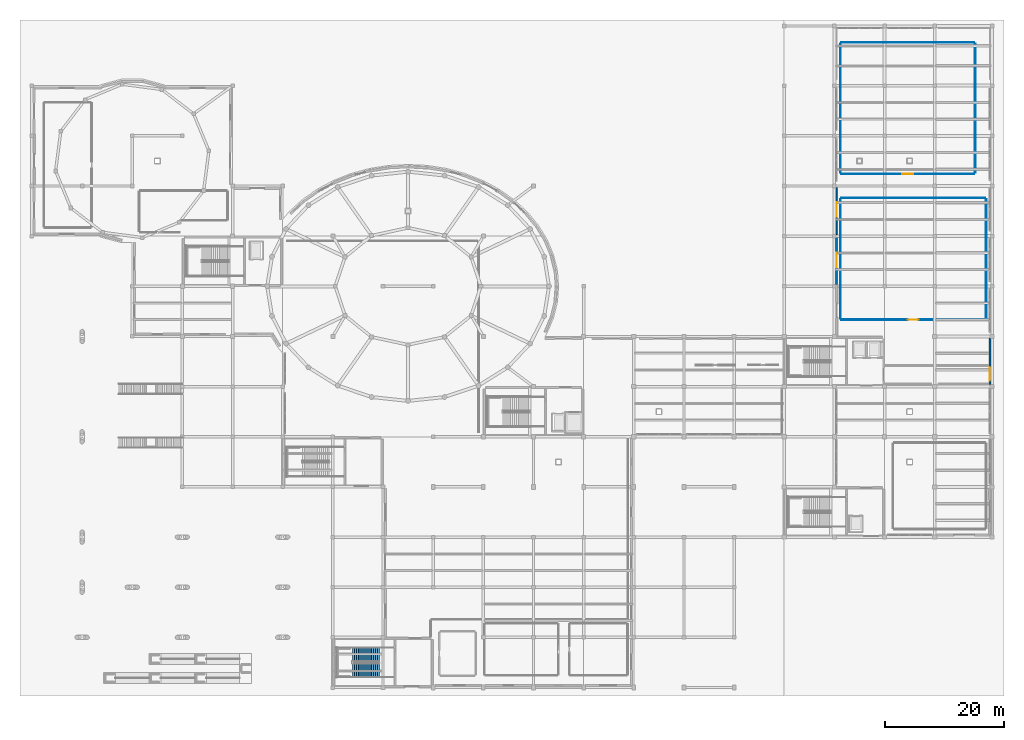
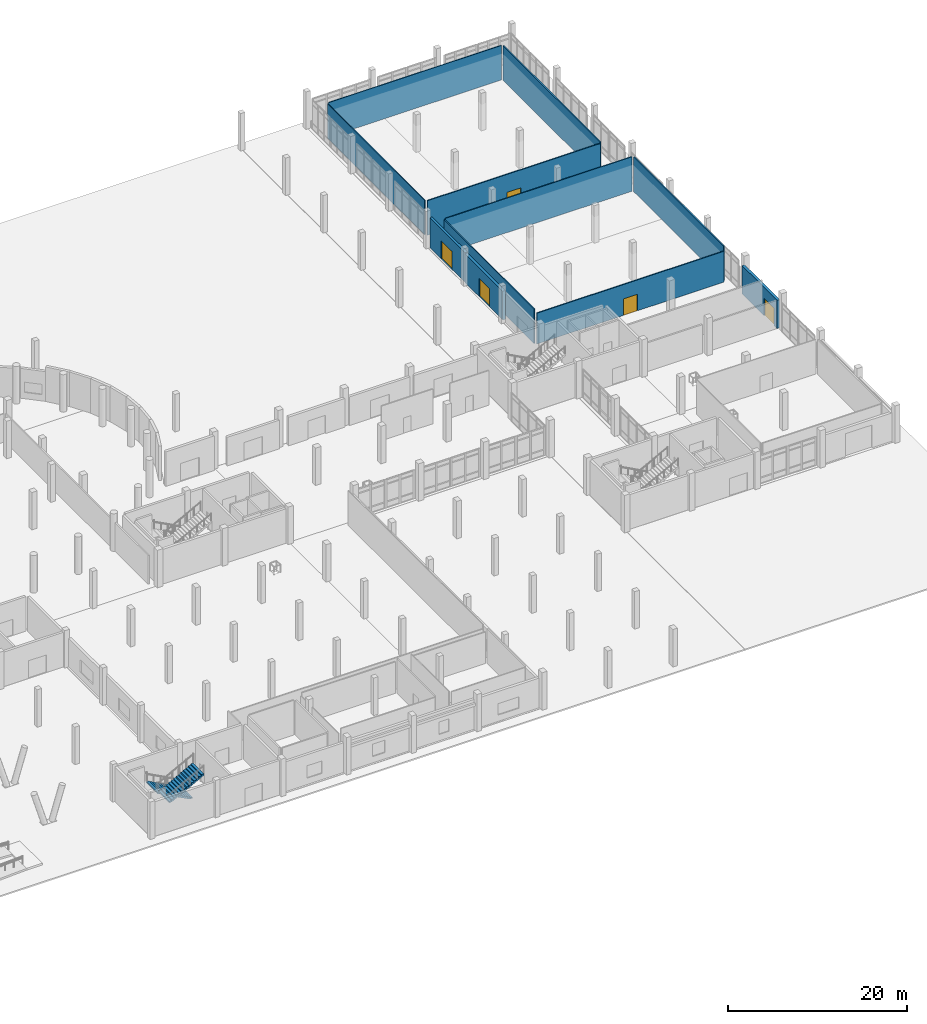
# One storey, part 51 of 64: 11 walls, 5 doors, 2 stair flights, 5 openings, 1 element without a shape of its own.
"""IFC4 building model written with IfcOpenShell, lengths in metres."""

from ifc_helpers import new_model, si_unit, derived_unit, direction, frame, frame_2d, origin, place, context, subcontext, project, spatial, polyline, rectangle, outline, extrude, material, layer, layer_set, type_object, element, fill, aggregate, save


model = new_model("IFC4")

# Units and contexts
model_context = context("Model", 3, precision=1e-05, world=origin(), true_north=direction((0.0, 1.0)))
body_context = subcontext(model_context, "Body", "Model", "MODEL_VIEW")
ifc_project = project(units=[si_unit("LENGTHUNIT", "METRE"), si_unit("AREAUNIT", "SQUARE_METRE"), si_unit("VOLUMEUNIT", "CUBIC_METRE"), si_unit("PLANEANGLEUNIT", "RADIAN"), si_unit("MASSUNIT", "GRAM", prefix="KILO"), derived_unit("THERMALTRANSMITTANCEUNIT", [(si_unit("POWERUNIT", "WATT"), 1), (si_unit("LENGTHUNIT", "METRE"), -2), (si_unit("THERMODYNAMICTEMPERATUREUNIT", "KELVIN"), -1)])], contexts=[model_context])

# Site, building, storey
site_placement = place(None, origin())
site = spatial("IfcSite", under=ifc_project, at=site_placement, CompositionType="ELEMENT")
building_placement = place(site_placement, origin())
building = spatial("IfcBuilding", under=site, at=building_placement, Name="Elbkamm Science Centre", CompositionType="ELEMENT")
storey_placement = place(building_placement, origin())
storey = spatial("IfcBuildingStorey", under=building, at=storey_placement, Name="L00", CompositionType="ELEMENT", Elevation=0.0)

# Wall, opening, door
ifc_material_1 = material(Name="White precast concrete C40/50", Category="concrete")
ifc_layer_1 = layer(ifc_material_1, 0.31005859375)
ifc_layer_set_1 = layer_set([ifc_layer_1], Name="White precast concrete C40/50")
wall_type_1 = type_object("IfcWallType", Name="WL-EXT-310", PredefinedType="SOLIDWALL", material=ifc_layer_set_1)
wall_1_placement = place(storey_placement, frame((134.780029296875, 75.9150390625, 0.0), z_axis=(0.0, 0.0, 1.0), x_axis=(0.0, 1.0, 0.0)))
wall_1 = element("IfcWall", 1, at=wall_1_placement, inside=storey, type_object=wall_type_1, Name="L00 Exterior Wall 0139", PredefinedType="SOLIDWALL", context=body_context, shape_type="SweptSolid", body=[
    extrude(rectangle(XDim=7.845947265625, YDim=0.31005859375, at=frame_2d((3.9228515625, 0.0))), origin(), (0.0, 0.0, 1.0), 4.050048828125),
])
opening_1_placement = place(wall_1_placement, frame((2.9521484375, 0.0, 0.0)))
opening_1 = element("IfcOpeningElement", 2, at=opening_1_placement, cuts=wall_1, Name="Opening EX-20", PredefinedType="OPENING", context=body_context, shape_type="SweptSolid", body=[
    extrude(rectangle(XDim=2.39990234375, YDim=2.449951171875, at=frame_2d((1.199951171875, 1.22509765625))), frame((0.0, 0.1669921875, 0.0), z_axis=(0.0, -1.0, 0.0), x_axis=(1.0, 0.0, 0.0)), (0.0, 0.0, 1.0), 0.333984375),
])
ifc_material_2 = material(Name="Powder-coated aluminium and laminated glass", Category="aluminium")
ifc_layer_2 = layer(ifc_material_2, 0.050048828125)
ifc_layer_set_2 = layer_set([ifc_layer_2], Name="Powder-coated aluminium and laminated glass")
door_type_1 = type_object("IfcDoorType", Name="DR-EXIT-2400x2450", OperationType="DOUBLE_DOOR_SINGLE_SWING", PredefinedType="DOOR", material=ifc_layer_set_2)
door_1_placement = place(opening_1_placement, origin())
door_1 = element("IfcDoor", 3, at=door_1_placement, inside=storey, type_object=door_type_1, Name="Final Exit Pedestrian Door EX-20", OperationType="DOUBLE_DOOR_SINGLE_SWING", OverallHeight=2.449951171875, OverallWidth=2.39990234375, PredefinedType="DOOR", context=body_context, shape_type="SweptSolid", body=[
    extrude(rectangle(XDim=2.39990234375, YDim=2.449951171875, at=frame_2d((1.199951171875, 1.22509765625))), frame((0.0, 0.02490234375, 0.0), z_axis=(0.0, -1.0, 0.0), x_axis=(1.0, 0.0, 0.0)), (0.0, 0.0, 1.0), 0.050048828125),
])
fill(opening_1, door_1)

ifc_layer_3 = layer(ifc_material_1, 0.340087890625)
ifc_layer_set_3 = layer_set([ifc_layer_3], Name="White precast concrete C40/50")
wall_type_2 = type_object("IfcWallType", Name="WL-EXT-340", PredefinedType="SOLIDWALL", material=ifc_layer_set_3)
wall_2_placement = place(storey_placement, frame((134.780029296875, 67.501953125, 0.0), z_axis=(0.0, 0.0, 1.0), x_axis=(0.0, 1.0, 0.0)))
wall_2 = element("IfcWall", 4, at=wall_2_placement, inside=storey, type_object=wall_type_2, Name="L00 Exterior Wall 0138", PredefinedType="SOLIDWALL", context=body_context, shape_type="SweptSolid", body=[
    extrude(rectangle(XDim=8.4111328125, YDim=0.340087890625, at=frame_2d((4.20556640625, 0.0))), origin(), (0.0, 0.0, 1.0), 3.89990234375),
])
opening_2_placement = place(wall_2_placement, frame((2.9091796875, 0.0, 0.0)))
opening_2 = element("IfcOpeningElement", 5, at=opening_2_placement, cuts=wall_2, Name="Opening EX-19", PredefinedType="OPENING", context=body_context, shape_type="SweptSolid", body=[
    extrude(rectangle(XDim=2.39990234375, YDim=2.449951171875, at=frame_2d((1.199951171875, 1.22509765625))), frame((0.0, 0.18212890625, 0.0), z_axis=(0.0, -1.0, 0.0), x_axis=(1.0, 0.0, 0.0)), (0.0, 0.0, 1.0), 0.364013671875),
])
door_2_placement = place(opening_2_placement, origin())
door_2 = element("IfcDoor", 6, at=door_2_placement, inside=storey, type_object=door_type_1, Name="Final Exit Pedestrian Door EX-19", OperationType="DOUBLE_DOOR_SINGLE_SWING", OverallHeight=2.449951171875, OverallWidth=2.39990234375, PredefinedType="DOOR", context=body_context, shape_type="SweptSolid", body=[
    extrude(rectangle(XDim=2.39990234375, YDim=2.449951171875, at=frame_2d((1.199951171875, 1.22509765625))), frame((0.0, 0.02490234375, 0.0), z_axis=(0.0, -1.0, 0.0), x_axis=(1.0, 0.0, 0.0)), (0.0, 0.0, 1.0), 0.050048828125),
])
fill(opening_2, door_2)

wall_3_placement = place(storey_placement, frame((160.419921875, 58.560791015625, 0.0), z_axis=(0.0, 0.0, 1.0), x_axis=(0.0, -1.0, 0.0)))
wall_3 = element("IfcWall", 7, at=wall_3_placement, inside=storey, type_object=wall_type_2, Name="L00 Exterior Wall 0140", PredefinedType="SOLIDWALL", context=body_context, shape_type="SweptSolid", body=[
    extrude(rectangle(XDim=7.808837890625, YDim=0.340087890625, at=frame_2d((3.904296875, 0.0))), origin(), (0.0, 0.0, 1.0), 3.85009765625),
])
opening_3_placement = place(wall_3_placement, frame((4.87890625, 0.0, 0.0)))
opening_3 = element("IfcOpeningElement", 8, at=opening_3_placement, cuts=wall_3, Name="Opening EX-21", PredefinedType="OPENING", context=body_context, shape_type="SweptSolid", body=[
    extrude(rectangle(XDim=2.300048828125, YDim=2.39990234375, at=frame_2d((1.14990234375, 1.199951171875))), frame((0.0, 0.18212890625, 0.0), z_axis=(0.0, -1.0, 0.0), x_axis=(1.0, 0.0, 0.0)), (0.0, 0.0, 1.0), 0.364013671875),
])
ifc_layer_4 = layer(ifc_material_2, 0.050048828125)
ifc_layer_set_4 = layer_set([ifc_layer_4], Name="Powder-coated aluminium and laminated glass")
door_type_2 = type_object("IfcDoorType", Name="DR-EXIT-2300x2400", OperationType="DOUBLE_DOOR_SINGLE_SWING", PredefinedType="DOOR", material=ifc_layer_set_4)
door_3_placement = place(opening_3_placement, origin())
door_3 = element("IfcDoor", 9, at=door_3_placement, inside=storey, type_object=door_type_2, Name="Protected Exit Passageway C3 Final Exit Door EX-21", OperationType="DOUBLE_DOOR_SINGLE_SWING", OverallHeight=2.39990234375, OverallWidth=2.300048828125, PredefinedType="DOOR", context=body_context, shape_type="SweptSolid", body=[
    extrude(rectangle(XDim=2.300048828125, YDim=2.39990234375, at=frame_2d((1.14990234375, 1.199951171875))), frame((0.0, 0.02490234375, 0.0), z_axis=(0.0, -1.0, 0.0), x_axis=(1.0, 0.0, 0.0)), (0.0, 0.0, 1.0), 0.050048828125),
])
fill(opening_3, door_3)

# Walls
ifc_material_3 = material(Name="Drywall service partition", Category="gypsum")
ifc_layer_5 = layer(ifc_material_3, 0.10009765625)
ifc_layer_set_5 = layer_set([ifc_layer_5], Name="Drywall service partition")
wall_type_3 = type_object("IfcWallType", Name="WL-PART-100", PredefinedType="PARTITIONING", material=ifc_layer_set_5)
wall_4_placement = place(storey_placement, frame((135.580078125, 82.0, 0.0), z_axis=(0.0, 0.0, 1.0), x_axis=(1.0, 0.0, 0.0)))
element("IfcWall", 10, at=wall_4_placement, inside=storey, type_object=wall_type_3, Name="L00 Science Education Prep Workshop Partition 0051", PredefinedType="PARTITIONING", context=body_context, shape_type="SweptSolid", body=[
    extrude(rectangle(XDim=24.0400390625, YDim=0.10009765625, at=frame_2d((12.02001953125, 0.0))), origin(), (0.0, 0.0, 1.0), 4.699951171875),
])
wall_5_placement = place(storey_placement, frame((135.580078125, 108.0, 0.0), z_axis=(0.0, 0.0, 1.0), x_axis=(1.0, 0.0, 0.0)))
element("IfcWall", 11, at=wall_5_placement, inside=storey, type_object=wall_type_3, Name="L00 Operations and Security Administration Office Partition 0059", PredefinedType="PARTITIONING", context=body_context, shape_type="SweptSolid", body=[
    extrude(rectangle(XDim=22.239990234375, YDim=0.10009765625, at=frame_2d((11.1201171875, 0.0))), origin(), (0.0, 0.0, 1.0), 4.699951171875),
])
ifc_material_4 = material(Name="Lightweight metal-stud gypsum partition", Category="gypsum")
ifc_layer_6 = layer(ifc_material_4, 0.125)
ifc_layer_set_6 = layer_set([ifc_layer_6], Name="Lightweight metal-stud gypsum partition")
wall_type_4 = type_object("IfcWallType", Name="WL-PART-125", PredefinedType="PARTITIONING", material=ifc_layer_set_6)
wall_6_placement = place(storey_placement, frame((135.39990234375, 61.780029296875, 0.0), z_axis=(0.0, 0.0, 1.0), x_axis=(0.0, 1.0, 0.0)))
element("IfcWall", 12, at=wall_6_placement, inside=storey, type_object=wall_type_4, Name="L00 Science Education Prep Workshop Partition 0054", PredefinedType="PARTITIONING", context=body_context, shape_type="SweptSolid", body=[
    extrude(rectangle(XDim=20.0400390625, YDim=0.125, at=frame_2d((10.02001953125, 0.0))), origin(), (0.0, 0.0, 1.0), 4.699951171875),
])
wall_7_placement = place(storey_placement, frame((135.39990234375, 86.179931640625, 0.0), z_axis=(0.0, 0.0, 1.0), x_axis=(0.0, 1.0, 0.0)))
element("IfcWall", 13, at=wall_7_placement, inside=storey, type_object=wall_type_4, Name="L00 Operations and Security Administration Office Partition 0062", PredefinedType="PARTITIONING", context=body_context, shape_type="SweptSolid", body=[
    extrude(rectangle(XDim=21.64013671875, YDim=0.125, at=frame_2d((10.820068359375, 0.0))), origin(), (0.0, 0.0, 1.0), 4.699951171875),
])

# Wall, opening, door
ifc_material_5 = material(Name="Acoustic metal-stud gypsum partition", Category="gypsum")
ifc_layer_7 = layer(ifc_material_5, 0.139892578125)
ifc_layer_set_7 = layer_set([ifc_layer_7], Name="Acoustic metal-stud gypsum partition")
wall_type_5 = type_object("IfcWallType", Name="WL-PART-140", PredefinedType="PARTITIONING", material=ifc_layer_set_7)
wall_8_placement = place(storey_placement, frame((159.6201171875, 61.60009765625, 0.0), z_axis=(0.0, 0.0, 1.0), x_axis=(-1.0, 0.0, 0.0)))
wall_8 = element("IfcWall", 14, at=wall_8_placement, inside=storey, type_object=wall_type_5, Name="L00 Science Education Prep Workshop Partition 0053", PredefinedType="PARTITIONING", context=body_context, shape_type="SweptSolid", body=[
    extrude(rectangle(XDim=24.0400390625, YDim=0.139892578125, at=frame_2d((12.02001953125, 0.0))), origin(), (0.0, 0.0, 1.0), 4.199951171875),
])
opening_4_placement = place(wall_8_placement, frame((11.1201171875, 0.0, 0.0)))
opening_4 = element("IfcOpeningElement", 15, at=opening_4_placement, cuts=wall_8, Name="Opening DI-01", PredefinedType="OPENING", context=body_context, shape_type="SweptSolid", body=[
    extrude(rectangle(XDim=1.800048828125, YDim=2.25, at=frame_2d((0.89990234375, 1.125))), frame((0.0, 0.08203125, 0.0), z_axis=(0.0, -1.0, 0.0), x_axis=(1.0, 0.0, 0.0)), (0.0, 0.0, 1.0), 0.163818359375),
])
ifc_material_6 = material(Name="Acoustic oak veneer and safety glass door", Category="glass")
ifc_layer_8 = layer(ifc_material_6, 0.050048828125)
ifc_layer_set_8 = layer_set([ifc_layer_8], Name="Acoustic oak veneer and safety glass door")
door_type_3 = type_object("IfcDoorType", Name="DR-INT-1800x2250", OperationType="DOUBLE_DOOR_SINGLE_SWING", PredefinedType="DOOR", material=ifc_layer_set_8)
door_4_placement = place(opening_4_placement, origin())
door_4 = element("IfcDoor", 16, at=door_4_placement, inside=storey, type_object=door_type_3, Name="L00 Science Education Prep Workshop Door", OperationType="DOUBLE_DOOR_SINGLE_SWING", OverallHeight=2.25, OverallWidth=1.800048828125, PredefinedType="DOOR", context=body_context, shape_type="SweptSolid", body=[
    extrude(rectangle(XDim=1.800048828125, YDim=2.25, at=frame_2d((0.89990234375, 1.125))), frame((0.0, 0.02490234375, 0.0), z_axis=(0.0, -1.0, 0.0), x_axis=(1.0, 0.0, 0.0)), (0.0, 0.0, 1.0), 0.050048828125),
])
fill(opening_4, door_4)

wall_9_placement = place(storey_placement, frame((157.820068359375, 86.0, 0.0), z_axis=(0.0, 0.0, 1.0), x_axis=(-1.0, 0.0, 0.0)))
wall_9 = element("IfcWall", 17, at=wall_9_placement, inside=storey, type_object=wall_type_5, Name="L00 Operations and Security Administration Office Partition 0061", PredefinedType="PARTITIONING", context=body_context, shape_type="SweptSolid", body=[
    extrude(rectangle(XDim=22.239990234375, YDim=0.139892578125, at=frame_2d((11.1201171875, 0.0))), origin(), (0.0, 0.0, 1.0), 4.699951171875),
])
opening_5_placement = place(wall_9_placement, frame((10.219970703125, 0.0, 0.0)))
opening_5 = element("IfcOpeningElement", 18, at=opening_5_placement, cuts=wall_9, Name="Opening DI-01", PredefinedType="OPENING", context=body_context, shape_type="SweptSolid", body=[
    extrude(rectangle(XDim=1.800048828125, YDim=2.25, at=frame_2d((0.89990234375, 1.125))), frame((0.0, 0.08203125, 0.0), z_axis=(0.0, -1.0, 0.0), x_axis=(1.0, 0.0, 0.0)), (0.0, 0.0, 1.0), 0.163818359375),
])
door_5_placement = place(opening_5_placement, origin())
door_5 = element("IfcDoor", 19, at=door_5_placement, inside=storey, type_object=door_type_3, Name="L00 Operations and Security Administration Office Door", OperationType="DOUBLE_DOOR_SINGLE_SWING", OverallHeight=2.25, OverallWidth=1.800048828125, PredefinedType="DOOR", context=body_context, shape_type="SweptSolid", body=[
    extrude(rectangle(XDim=1.800048828125, YDim=2.25, at=frame_2d((0.89990234375, 1.125))), frame((0.0, 0.02490234375, 0.0), z_axis=(0.0, -1.0, 0.0), x_axis=(1.0, 0.0, 0.0)), (0.0, 0.0, 1.0), 0.050048828125),
])
fill(opening_5, door_5)

# Walls
ifc_layer_9 = layer(ifc_material_5, 0.159912109375)
ifc_layer_set_9 = layer_set([ifc_layer_9], Name="Acoustic metal-stud gypsum partition")
wall_type_6 = type_object("IfcWallType", Name="WL-PART-160", PredefinedType="PARTITIONING", material=ifc_layer_set_9)
wall_10_placement = place(storey_placement, frame((159.800048828125, 81.820068359375, 0.0), z_axis=(0.0, 0.0, 1.0), x_axis=(0.0, -1.0, 0.0)))
element("IfcWall", 20, at=wall_10_placement, inside=storey, type_object=wall_type_6, Name="L00 Science Education Prep Workshop Partition 0052", PredefinedType="PARTITIONING", context=body_context, shape_type="SweptSolid", body=[
    extrude(rectangle(XDim=20.0400390625, YDim=0.159912109375, at=frame_2d((10.02001953125, 0.0))), origin(), (0.0, 0.0, 1.0), 4.699951171875),
])
wall_11_placement = place(storey_placement, frame((158.0, 107.820068359375, 0.0), z_axis=(0.0, 0.0, 1.0), x_axis=(0.0, -1.0, 0.0)))
element("IfcWall", 21, at=wall_11_placement, inside=storey, type_object=wall_type_6, Name="L00 Operations and Security Administration Office Partition 0060", PredefinedType="PARTITIONING", context=body_context, shape_type="SweptSolid", body=[
    extrude(rectangle(XDim=21.64013671875, YDim=0.159912109375, at=frame_2d((10.820068359375, 0.0))), origin(), (0.0, 0.0, 1.0), 4.699951171875),
])

# Stair, stair flights
ifc_material_7 = material(Name="Reinforced concrete C40/50", Category="concrete")
stair_type = type_object("IfcStairType", Name="ST-TWO-30R-242", PredefinedType="USERDEFINED", material=ifc_material_7)
stair_placement = place(storey_placement, origin())
stair = element("IfcStair", 22, at=stair_placement, inside=storey, type_object=stair_type, Name="L00 Core C6 South Theatre Assembly Egress Core Escape Stair", ObjectType="TWO_RETURN_STAIR", PredefinedType="USERDEFINED")
stair_flight_type = type_object("IfcStairFlightType", Name="FLT-15R-170MM-242", PredefinedType="STRAIGHT", material=ifc_material_7)
stair_flight_1_placement = place(storey_placement, frame((58.179931640625, 5.510009765625, 0.0), z_axis=(0.0, 0.0, 1.0), x_axis=(-1.0, 0.0, 0.0)))
stair_flight_1 = element("IfcStairFlight", 23, at=stair_flight_1_placement, type_object=stair_flight_type, Name="ST-C6 flight 1", NumberOfRisers=15, NumberOfTreads=14, PredefinedType="STRAIGHT", RiserHeight=0.17, TreadLength=0.32, context=body_context, shape_type="SweptSolid", body=[
    extrude(outline(polyline([(0.0, 0.0), (0.0, 0.169921875), (0.320068359375, 0.169921875), (0.320068359375, 0.340087890625), (0.639892578125, 0.340087890625), (0.639892578125, 0.510009765625), (0.9599609375, 0.510009765625), (0.9599609375, 0.679931640625), (1.280029296875, 0.679931640625), (1.280029296875, 0.85009765625), (1.60009765625, 0.85009765625), (1.60009765625, 1.02001953125), (1.919921875, 1.02001953125), (1.919921875, 1.18994140625), (2.239990234375, 1.18994140625), (2.239990234375, 1.360107421875), (2.56005859375, 1.360107421875), (2.56005859375, 1.530029296875), (2.8798828125, 1.530029296875), (2.8798828125, 1.699951171875), (3.199951171875, 1.699951171875), (3.199951171875, 1.8701171875), (3.52001953125, 1.8701171875), (3.52001953125, 2.0400390625), (3.840087890625, 2.0400390625), (3.840087890625, 2.2099609375), (4.159912109375, 2.2099609375), (4.159912109375, 2.3798828125), (4.47998046875, 2.3798828125), (4.47998046875, 2.550048828125), (4.47998046875, 2.198974609375), (0.3408203125, 0.0), (0.0, 0.0)])), frame((0.0, 1.2099609375, 0.0), z_axis=(0.0, -1.0, 0.0), x_axis=(1.0, 0.0, 0.0)), (0.0, 0.0, 1.0), 2.419921875),
])
stair_flight_2_placement = place(storey_placement, frame((53.699951171875, 2.889892578125, 2.550048828125), z_axis=(0.0, 0.0, 1.0), x_axis=(1.0, 0.0, 0.0)))
stair_flight_2 = element("IfcStairFlight", 24, at=stair_flight_2_placement, type_object=stair_flight_type, Name="ST-C6 flight 2", NumberOfRisers=15, NumberOfTreads=14, PredefinedType="STRAIGHT", RiserHeight=0.17, TreadLength=0.32, context=body_context, shape_type="SweptSolid", body=[
    extrude(outline(polyline([(0.0, 0.0), (0.0, 0.169921875), (0.320068359375, 0.169921875), (0.320068359375, 0.340087890625), (0.639892578125, 0.340087890625), (0.639892578125, 0.510009765625), (0.9599609375, 0.510009765625), (0.9599609375, 0.679931640625), (1.280029296875, 0.679931640625), (1.280029296875, 0.85009765625), (1.60009765625, 0.85009765625), (1.60009765625, 1.02001953125), (1.919921875, 1.02001953125), (1.919921875, 1.18994140625), (2.239990234375, 1.18994140625), (2.239990234375, 1.360107421875), (2.56005859375, 1.360107421875), (2.56005859375, 1.530029296875), (2.8798828125, 1.530029296875), (2.8798828125, 1.699951171875), (3.199951171875, 1.699951171875), (3.199951171875, 1.8701171875), (3.52001953125, 1.8701171875), (3.52001953125, 2.0400390625), (3.840087890625, 2.0400390625), (3.840087890625, 2.2099609375), (4.159912109375, 2.2099609375), (4.159912109375, 2.3798828125), (4.47998046875, 2.3798828125), (4.47998046875, 2.550048828125), (4.47998046875, 2.198974609375), (0.3408203125, 0.0), (0.0, 0.0)])), frame((0.0, 1.2099609375, 0.0), z_axis=(0.0, -1.0, 0.0), x_axis=(1.0, 0.0, 0.0)), (0.0, 0.0, 1.0), 2.419921875),
])
aggregate(stair, [stair_flight_1, stair_flight_2])

save(model, "model.ifc")
